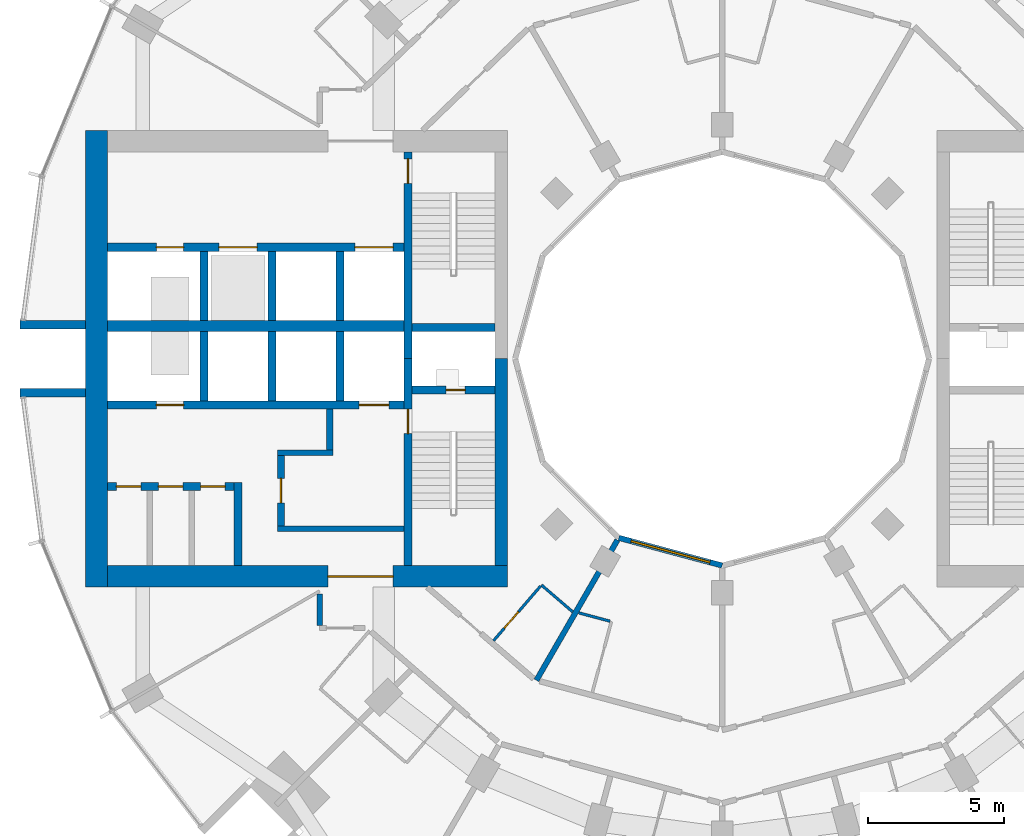
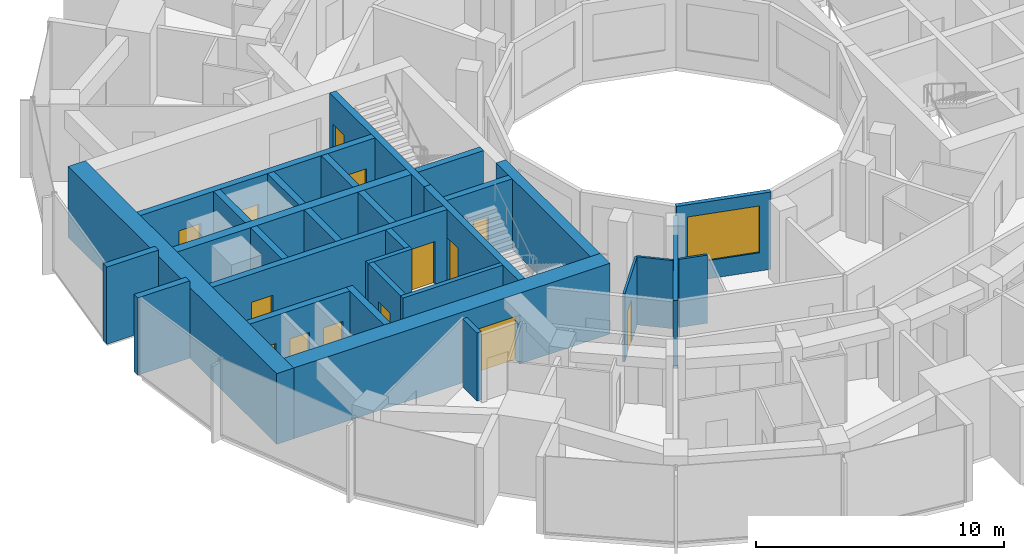
# One storey, part 9 of 15: 30 walls, 14 doors, 1 window, 15 openings.
"""IFC4 building model written with IfcOpenShell, lengths in metres."""

from ifc_helpers import new_model, si_unit, direction, frame, frame_2d, origin, place, context, subcontext, project, spatial, rectangle, extrude, material, layer, layer_set, type_object, element, fill, save


model = new_model("IFC4")

# Units and contexts
model_context = context("Model", 3, precision=1e-05, world=origin(), true_north=direction((0.0, 1.0)))
body_context = subcontext(model_context, "Body", "Model", "MODEL_VIEW")
ifc_project = project(units=[si_unit("LENGTHUNIT", "METRE"), si_unit("AREAUNIT", "SQUARE_METRE"), si_unit("VOLUMEUNIT", "CUBIC_METRE"), si_unit("PLANEANGLEUNIT", "RADIAN"), si_unit("MASSUNIT", "GRAM", prefix="KILO")], contexts=[model_context])

# Site, building, storey
site_placement = place(None, origin())
site = spatial("IfcSite", under=ifc_project, at=site_placement, CompositionType="ELEMENT")
building_placement = place(site_placement, origin())
building = spatial("IfcBuilding", under=site, at=building_placement, Name="Torre Brocal", CompositionType="ELEMENT")
storey_placement = place(building_placement, frame((0.0, 0.0, 55.39990234375)))
storey = spatial("IfcBuildingStorey", under=building, at=storey_placement, Name="L12", CompositionType="ELEMENT", Elevation=55.39990234375)

# Walls
ifc_material_1 = material(Name="Concrete C80", Category="concrete")
ifc_layer_1 = layer(ifc_material_1, 0.199951171875)
ifc_layer_set_1 = layer_set([ifc_layer_1], Name="Concrete C80")
wall_type_1 = type_object("IfcWallType", Name="CORE WALL 200 C80", PredefinedType="SHEAR", material=ifc_layer_set_1)
wall_1_placement = place(storey_placement, frame((68.300048828125, 68.75, 0.0), z_axis=(0.0, 0.0, 1.0), x_axis=(-1.0, 0.0, 0.0)))
element("IfcWall", 1, at=wall_1_placement, inside=storey, type_object=wall_type_1, Name="Wall CW200-80", PredefinedType="SHEAR", context=body_context, shape_type="SweptSolid", body=[
    extrude(rectangle(XDim=4.650146484375, YDim=0.199951171875, at=frame_2d((2.3251953125, 0.0))), origin(), (0.0, 0.0, 1.0), 3.47998046875),
])
wall_2_placement = place(storey_placement, frame((65.699951171875, 71.550048828125, 0.0), z_axis=(0.0, 0.0, 1.0), x_axis=(-1.0, 0.0, 0.0)))
element("IfcWall", 2, at=wall_2_placement, inside=storey, type_object=wall_type_1, Name="Wall CW200-80", PredefinedType="SHEAR", context=body_context, shape_type="SweptSolid", body=[
    extrude(rectangle(XDim=2.050048828125, YDim=0.199951171875, at=frame_2d((1.02490234375, 0.0))), origin(), (0.0, 0.0, 1.0), 3.47998046875),
])

# Wall, opening, door
ifc_material_2 = material(Name="Concrete C80", Category="concrete")
ifc_layer_2 = layer(ifc_material_2, 0.25)
ifc_layer_set_2 = layer_set([ifc_layer_2], Name="Concrete C80")
wall_type_2 = type_object("IfcWallType", Name="CORE WALL 250 C80", PredefinedType="SHEAR", material=ifc_layer_set_2)
wall_3_placement = place(storey_placement, frame((63.77490234375, 71.449951171875, 0.0), z_axis=(0.0, 0.0, 1.0), x_axis=(0.0, -1.0, 0.0)))
wall_3 = element("IfcWall", 3, at=wall_3_placement, inside=storey, type_object=wall_type_2, Name="Wall CW250-80", PredefinedType="SHEAR", context=body_context, shape_type="SweptSolid", body=[
    extrude(rectangle(XDim=2.599853515625, YDim=0.25, at=frame_2d((1.2998046875, 0.0))), origin(), (0.0, 0.0, 1.0), 3.47998046875),
])
opening_1_placement = place(wall_3_placement, frame((0.85009765625, 0.0, 0.0)))
opening_1 = element("IfcOpeningElement", 4, at=opening_1_placement, cuts=wall_3, Name="Opening W-D15", PredefinedType="OPENING", context=body_context, shape_type="SweptSolid", body=[
    extrude(rectangle(XDim=0.89990234375, YDim=2.10009765625, at=frame_2d((0.449951171875, 1.050048828125))), frame((0.0, 0.135009765625, 0.0), z_axis=(0.0, -1.0, 0.0), x_axis=(1.0, 0.0, 0.0)), (0.0, 0.0, 1.0), 0.27001953125),
])
ifc_material_3 = material(Name="Steel A653", Category="steel")
door_type_1 = type_object("IfcDoorType", Name="LOBBY DOOR FD120 900X2100", OperationType="SINGLE_SWING_RIGHT", PredefinedType="DOOR", material=ifc_material_3)
door_1_placement = place(opening_1_placement, origin())
door_1 = element("IfcDoor", 5, at=door_1_placement, inside=storey, type_object=door_type_1, Name="Door W-D15", OperationType="SINGLE_SWING_LEFT", OverallHeight=2.10009765625, OverallWidth=0.89990234375, PredefinedType="DOOR", context=body_context, shape_type="SweptSolid", body=[
    extrude(rectangle(XDim=0.89990234375, YDim=2.10009765625, at=frame_2d((0.449951171875, 1.050048828125))), frame((0.0, 0.02490234375, 0.0), z_axis=(0.0, -1.0, 0.0), x_axis=(1.0, 0.0, 0.0)), (0.0, 0.0, 1.0), 0.050048828125),
])
fill(opening_1, door_1)

# Wall
wall_4_placement = place(storey_placement, frame((65.574951171875, 73.14990234375, 0.0), z_axis=(0.0, 0.0, 1.0), x_axis=(0.0, -1.0, 0.0)))
element("IfcWall", 6, at=wall_4_placement, inside=storey, type_object=wall_type_2, Name="Wall CW250-80", PredefinedType="SHEAR", context=body_context, shape_type="SweptSolid", body=[
    extrude(rectangle(XDim=1.5, YDim=0.25, at=frame_2d((0.75, 0.0))), origin(), (0.0, 0.0, 1.0), 3.47998046875),
])

# Wall, opening, door
ifc_material_4 = material(Name="Concrete C80", Category="concrete")
ifc_layer_3 = layer(ifc_material_4, 0.300048828125)
ifc_layer_set_3 = layer_set([ifc_layer_3], Name="Concrete C80")
wall_type_3 = type_object("IfcWallType", Name="CORE WALL 300 C80", PredefinedType="SHEAR", material=ifc_layer_set_3)
wall_5_placement = place(storey_placement, frame((68.449951171875, 75.0, 0.0), z_axis=(0.0, 0.0, 1.0), x_axis=(0.0, -1.0, 0.0)))
wall_5 = element("IfcWall", 7, at=wall_5_placement, inside=storey, type_object=wall_type_3, Name="Wall CW300-80", PredefinedType="SHEAR", context=body_context, shape_type="SweptSolid", body=[
    extrude(rectangle(XDim=7.60009765625, YDim=0.300048828125, at=frame_2d((3.800048828125, 0.0))), origin(), (0.0, 0.0, 1.0), 3.47998046875),
])
opening_2_placement = place(wall_5_placement, frame((1.85009765625, 0.0, 0.0)))
opening_2 = element("IfcOpeningElement", 8, at=opening_2_placement, cuts=wall_5, Name="Opening W-D02", PredefinedType="OPENING", context=body_context, shape_type="SweptSolid", body=[
    extrude(rectangle(XDim=0.89990234375, YDim=2.10009765625, at=frame_2d((0.449951171875, 1.050048828125))), frame((0.0, 0.159912109375, 0.0), z_axis=(0.0, -1.0, 0.0), x_axis=(1.0, 0.0, 0.0)), (0.0, 0.0, 1.0), 0.320068359375),
])
ifc_material_5 = material(Name="Steel A653", Category="steel")
door_type_2 = type_object("IfcDoorType", Name="STAIR DOOR FD120 900X2100", OperationType="SINGLE_SWING_RIGHT", PredefinedType="DOOR", material=ifc_material_5)
door_2_placement = place(opening_2_placement, origin())
door_2 = element("IfcDoor", 9, at=door_2_placement, inside=storey, type_object=door_type_2, Name="Door W-D02", OperationType="SINGLE_SWING_LEFT", OverallHeight=2.10009765625, OverallWidth=0.89990234375, PredefinedType="DOOR", context=body_context, shape_type="SweptSolid", body=[
    extrude(rectangle(XDim=0.89990234375, YDim=2.10009765625, at=frame_2d((0.449951171875, 1.050048828125))), frame((0.0, 0.02490234375, 0.0), z_axis=(0.0, -1.0, 0.0), x_axis=(1.0, 0.0, 0.0)), (0.0, 0.0, 1.0), 0.050048828125),
])
fill(opening_2, door_2)

wall_6_placement = place(storey_placement, frame((68.449951171875, 82.60009765625, 0.0), z_axis=(0.0, 0.0, 1.0), x_axis=(0.0, -1.0, 0.0)))
wall_6 = element("IfcWall", 10, at=wall_6_placement, inside=storey, type_object=wall_type_3, Name="Wall CW300-80", PredefinedType="SHEAR", context=body_context, shape_type="SweptSolid", body=[
    extrude(rectangle(XDim=7.60009765625, YDim=0.300048828125, at=frame_2d((3.800048828125, 0.0))), origin(), (0.0, 0.0, 1.0), 3.47998046875),
])
opening_3_placement = place(wall_6_placement, frame((0.25, 0.0, 0.0)))
opening_3 = element("IfcOpeningElement", 11, at=opening_3_placement, cuts=wall_6, Name="Opening W-D03", PredefinedType="OPENING", context=body_context, shape_type="SweptSolid", body=[
    extrude(rectangle(XDim=0.89990234375, YDim=2.10009765625, at=frame_2d((0.449951171875, 1.050048828125))), frame((0.0, 0.159912109375, 0.0), z_axis=(0.0, -1.0, 0.0), x_axis=(1.0, 0.0, 0.0)), (0.0, 0.0, 1.0), 0.320068359375),
])
door_3_placement = place(opening_3_placement, origin())
door_3 = element("IfcDoor", 12, at=door_3_placement, inside=storey, type_object=door_type_2, Name="Door W-D03", OperationType="SINGLE_SWING_LEFT", OverallHeight=2.10009765625, OverallWidth=0.89990234375, PredefinedType="DOOR", context=body_context, shape_type="SweptSolid", body=[
    extrude(rectangle(XDim=0.89990234375, YDim=2.10009765625, at=frame_2d((0.449951171875, 1.050048828125))), frame((0.0, 0.02490234375, 0.0), z_axis=(0.0, -1.0, 0.0), x_axis=(1.0, 0.0, 0.0)), (0.0, 0.0, 1.0), 0.050048828125),
])
fill(opening_3, door_3)

wall_7_placement = place(storey_placement, frame((71.64990234375, 73.85009765625, 0.0), z_axis=(0.0, 0.0, 1.0), x_axis=(-1.0, 0.0, 0.0)))
wall_7 = element("IfcWall", 13, at=wall_7_placement, inside=storey, type_object=wall_type_3, Name="Wall CW300-80", PredefinedType="SHEAR", context=body_context, shape_type="SweptSolid", body=[
    extrude(rectangle(XDim=3.0498046875, YDim=0.300048828125, at=frame_2d((1.52490234375, 0.0))), origin(), (0.0, 0.0, 1.0), 3.47998046875),
])
opening_4_placement = place(wall_7_placement, frame((1.10009765625, 0.0, 0.0)))
opening_4 = element("IfcOpeningElement", 14, at=opening_4_placement, cuts=wall_7, Name="Opening W-D01", PredefinedType="OPENING", context=body_context, shape_type="SweptSolid", body=[
    extrude(rectangle(XDim=0.699951171875, YDim=2.0, at=frame_2d((0.35009765625, 1.0))), frame((0.0, 0.159912109375, 0.0), z_axis=(0.0, -1.0, 0.0), x_axis=(1.0, 0.0, 0.0)), (0.0, 0.0, 1.0), 0.320068359375),
])
ifc_material_6 = material(Name="Steel A653", Category="steel")
door_type_3 = type_object("IfcDoorType", Name="RISER DOOR FD120 700X2000", OperationType="SINGLE_SWING_LEFT", PredefinedType="DOOR", material=ifc_material_6)
door_4_placement = place(opening_4_placement, frame((0.699951171875, 0.0, 0.0), z_axis=(0.0, 0.0, 1.0), x_axis=(-1.0, 0.0, 0.0)))
door_4 = element("IfcDoor", 15, at=door_4_placement, inside=storey, type_object=door_type_3, Name="Door W-D01", OperationType="SINGLE_SWING_RIGHT", OverallHeight=2.0, OverallWidth=0.699951171875, PredefinedType="DOOR", context=body_context, shape_type="SweptSolid", body=[
    extrude(rectangle(XDim=0.699951171875, YDim=2.0, at=frame_2d((0.35009765625, 1.0))), frame((0.0, 0.02490234375, 0.0), z_axis=(0.0, -1.0, 0.0), x_axis=(1.0, 0.0, 0.0)), (0.0, 0.0, 1.0), 0.050048828125),
])
fill(opening_4, door_4)

# Wall
wall_8_placement = place(storey_placement, frame((71.64990234375, 76.14990234375, 0.0), z_axis=(0.0, 0.0, 1.0), x_axis=(-1.0, 0.0, 0.0)))
element("IfcWall", 16, at=wall_8_placement, inside=storey, type_object=wall_type_3, Name="Wall CW300-80", PredefinedType="SHEAR", context=body_context, shape_type="SweptSolid", body=[
    extrude(rectangle(XDim=3.0498046875, YDim=0.300048828125, at=frame_2d((1.52490234375, 0.0))), origin(), (0.0, 0.0, 1.0), 3.47998046875),
])

# Wall, openings, doors
wall_9_placement = place(storey_placement, frame((68.300048828125, 73.300048828125, 0.0), z_axis=(0.0, 0.0, 1.0), x_axis=(-1.0, 0.0, 0.0)))
wall_9 = element("IfcWall", 17, at=wall_9_placement, inside=storey, type_object=wall_type_3, Name="Wall CW300-80", PredefinedType="SHEAR", context=body_context, shape_type="SweptSolid", body=[
    extrude(rectangle(XDim=10.900146484375, YDim=0.300048828125, at=frame_2d((5.4501953125, 0.0))), origin(), (0.0, 0.0, 1.0), 3.47998046875),
])
opening_5_placement = place(wall_9_placement, frame((0.550048828125, 0.0, 0.0)))
opening_5 = element("IfcOpeningElement", 18, at=opening_5_placement, cuts=wall_9, Name="Opening LD", PredefinedType="OPENING", context=body_context, shape_type="SweptSolid", body=[
    extrude(rectangle(XDim=1.10009765625, YDim=2.10009765625, at=frame_2d((0.550048828125, 1.050048828125))), frame((0.0, 0.159912109375, 0.0), z_axis=(0.0, -1.0, 0.0), x_axis=(1.0, 0.0, 0.0)), (0.0, 0.0, 1.0), 0.320068359375),
])
opening_6_placement = place(wall_9_placement, frame((8.10009765625, 0.0, 0.0)))
opening_6 = element("IfcOpeningElement", 19, at=opening_6_placement, cuts=wall_9, Name="Opening LD10", PredefinedType="OPENING", context=body_context, shape_type="SweptSolid", body=[
    extrude(rectangle(XDim=1.0, YDim=2.10009765625, at=frame_2d((0.5, 1.050048828125))), frame((0.0, 0.159912109375, 0.0), z_axis=(0.0, -1.0, 0.0), x_axis=(1.0, 0.0, 0.0)), (0.0, 0.0, 1.0), 0.320068359375),
])
ifc_material_7 = material(Name="Stainless steel AISI 316", Category="steel")
door_type_4 = type_object("IfcDoorType", Name="LIFT LANDING DOOR 1000X2100", OperationType="DOUBLE_DOOR_SLIDING", PredefinedType="DOOR", material=ifc_material_7)
door_5_placement = place(opening_6_placement, origin())
door_5 = element("IfcDoor", 20, at=door_5_placement, inside=storey, type_object=door_type_4, Name="Door LD10", OperationType="DOUBLE_DOOR_SLIDING", OverallHeight=2.10009765625, OverallWidth=1.0, PredefinedType="DOOR", context=body_context, shape_type="SweptSolid", body=[
    extrude(rectangle(XDim=1.0, YDim=2.10009765625, at=frame_2d((0.5, 1.050048828125))), frame((0.0, 0.02490234375, 0.0), z_axis=(0.0, -1.0, 0.0), x_axis=(1.0, 0.0, 0.0)), (0.0, 0.0, 1.0), 0.050048828125),
])
fill(opening_6, door_5)
ifc_material_8 = material(Name="Stainless steel AISI 316", Category="steel")
door_type_5 = type_object("IfcDoorType", Name="LIFT LANDING DOOR 1100X2100", OperationType="DOUBLE_DOOR_SLIDING", PredefinedType="DOOR", material=ifc_material_8)
door_6_placement = place(opening_5_placement, origin())
door_6 = element("IfcDoor", 21, at=door_6_placement, inside=storey, type_object=door_type_5, Name="Door LD", OperationType="DOUBLE_DOOR_SLIDING", OverallHeight=2.10009765625, OverallWidth=1.10009765625, PredefinedType="DOOR", context=body_context, shape_type="SweptSolid", body=[
    extrude(rectangle(XDim=1.10009765625, YDim=2.10009765625, at=frame_2d((0.550048828125, 1.050048828125))), frame((0.0, 0.02490234375, 0.0), z_axis=(0.0, -1.0, 0.0), x_axis=(1.0, 0.0, 0.0)), (0.0, 0.0, 1.0), 0.050048828125),
])
fill(opening_5, door_6)

wall_10_placement = place(storey_placement, frame((68.300048828125, 79.10009765625, 0.0), z_axis=(0.0, 0.0, 1.0), x_axis=(-1.0, 0.0, 0.0)))
wall_10 = element("IfcWall", 22, at=wall_10_placement, inside=storey, type_object=wall_type_3, Name="Wall CW300-80", PredefinedType="SHEAR", context=body_context, shape_type="SweptSolid", body=[
    extrude(rectangle(XDim=10.900146484375, YDim=0.300048828125, at=frame_2d((5.4501953125, 0.0))), origin(), (0.0, 0.0, 1.0), 3.47998046875),
])
opening_7_placement = place(wall_10_placement, frame((0.39990234375, 0.0, 0.0)))
opening_7 = element("IfcOpeningElement", 23, at=opening_7_placement, cuts=wall_10, Name="Opening LD14", PredefinedType="OPENING", context=body_context, shape_type="SweptSolid", body=[
    extrude(rectangle(XDim=1.39990234375, YDim=2.10009765625, at=frame_2d((0.699951171875, 1.050048828125))), frame((0.0, 0.159912109375, 0.0), z_axis=(0.0, -1.0, 0.0), x_axis=(1.0, 0.0, 0.0)), (0.0, 0.0, 1.0), 0.320068359375),
])
opening_8_placement = place(wall_10_placement, frame((5.39990234375, 0.0, 0.0)))
opening_8 = element("IfcOpeningElement", 24, at=opening_8_placement, cuts=wall_10, Name="Opening LD14", PredefinedType="OPENING", context=body_context, shape_type="SweptSolid", body=[
    extrude(rectangle(XDim=1.39990234375, YDim=2.10009765625, at=frame_2d((0.699951171875, 1.050048828125))), frame((0.0, 0.159912109375, 0.0), z_axis=(0.0, -1.0, 0.0), x_axis=(1.0, 0.0, 0.0)), (0.0, 0.0, 1.0), 0.320068359375),
])
opening_9_placement = place(wall_10_placement, frame((8.10009765625, 0.0, 0.0)))
opening_9 = element("IfcOpeningElement", 25, at=opening_9_placement, cuts=wall_10, Name="Opening LD10", PredefinedType="OPENING", context=body_context, shape_type="SweptSolid", body=[
    extrude(rectangle(XDim=1.0, YDim=2.10009765625, at=frame_2d((0.5, 1.050048828125))), frame((0.0, 0.159912109375, 0.0), z_axis=(0.0, -1.0, 0.0), x_axis=(1.0, 0.0, 0.0)), (0.0, 0.0, 1.0), 0.320068359375),
])
door_7_placement = place(opening_9_placement, origin())
door_7 = element("IfcDoor", 26, at=door_7_placement, inside=storey, type_object=door_type_4, Name="Door LD10", OperationType="DOUBLE_DOOR_SLIDING", OverallHeight=2.10009765625, OverallWidth=1.0, PredefinedType="DOOR", context=body_context, shape_type="SweptSolid", body=[
    extrude(rectangle(XDim=1.0, YDim=2.10009765625, at=frame_2d((0.5, 1.050048828125))), frame((0.0, 0.02490234375, 0.0), z_axis=(0.0, -1.0, 0.0), x_axis=(1.0, 0.0, 0.0)), (0.0, 0.0, 1.0), 0.050048828125),
])
fill(opening_9, door_7)
ifc_material_9 = material(Name="Stainless steel AISI 316", Category="steel")
door_type_6 = type_object("IfcDoorType", Name="LIFT LANDING DOOR 1400X2100", OperationType="DOUBLE_DOOR_SLIDING", PredefinedType="DOOR", material=ifc_material_9)
door_8_placement = place(opening_7_placement, origin())
door_8 = element("IfcDoor", 27, at=door_8_placement, inside=storey, type_object=door_type_6, Name="Door LD14", OperationType="DOUBLE_DOOR_SLIDING", OverallHeight=2.10009765625, OverallWidth=1.39990234375, PredefinedType="DOOR", context=body_context, shape_type="SweptSolid", body=[
    extrude(rectangle(XDim=1.39990234375, YDim=2.10009765625, at=frame_2d((0.699951171875, 1.050048828125))), frame((0.0, 0.02490234375, 0.0), z_axis=(0.0, -1.0, 0.0), x_axis=(1.0, 0.0, 0.0)), (0.0, 0.0, 1.0), 0.050048828125),
])
fill(opening_7, door_8)
door_9_placement = place(opening_8_placement, origin())
door_9 = element("IfcDoor", 28, at=door_9_placement, inside=storey, type_object=door_type_6, Name="Door LD14", OperationType="DOUBLE_DOOR_SLIDING", OverallHeight=2.10009765625, OverallWidth=1.39990234375, PredefinedType="DOOR", context=body_context, shape_type="SweptSolid", body=[
    extrude(rectangle(XDim=1.39990234375, YDim=2.10009765625, at=frame_2d((0.699951171875, 1.050048828125))), frame((0.0, 0.02490234375, 0.0), z_axis=(0.0, -1.0, 0.0), x_axis=(1.0, 0.0, 0.0)), (0.0, 0.0, 1.0), 0.050048828125),
])
fill(opening_8, door_9)

# Walls
for number, where, z_axis, x_axis, name in (
    (29, (65.949951171875, 76.0, 0.0), (0.0, 0.0, 1.0), (0.0, -1.0, 0.0), "Wall CW300-80"),
    (30, (63.449951171875, 76.0, 0.0), (0.0, 0.0, 1.0), (0.0, -1.0, 0.0), "Wall CW300-80"),
    (31, (60.949951171875, 76.0, 0.0), (0.0, 0.0, 1.0), (0.0, -1.0, 0.0), "Wall CW300-80"),
    (32, (65.949951171875, 78.949951171875, 0.0), (0.0, 0.0, 1.0), (0.0, -1.0, 0.0), "Wall CW300-80"),
    (33, (63.449951171875, 78.949951171875, 0.0), (0.0, 0.0, 1.0), (0.0, -1.0, 0.0), "Wall CW300-80"),
    (34, (60.949951171875, 78.949951171875, 0.0), (0.0, 0.0, 1.0), (0.0, -1.0, 0.0), "Wall CW300-80"),
):
    element("IfcWall", number, at=place(storey_placement, frame(where, z_axis=z_axis, x_axis=x_axis)), inside=storey, type_object=wall_type_3, Name=name, PredefinedType="SHEAR", context=body_context, shape_type="SweptSolid", body=[
        extrude(rectangle(XDim=2.550048828125, YDim=0.300048828125, at=frame_2d((1.27490234375, 0.0))), origin(), (0.0, 0.0, 1.0), 3.47998046875),
    ])
wall_11_placement = place(storey_placement, frame((62.199951171875, 70.449951171875, 0.0), z_axis=(0.0, 0.0, 1.0), x_axis=(0.0, -1.0, 0.0)))
element("IfcWall", 35, at=wall_11_placement, inside=storey, type_object=wall_type_3, Name="Wall CW300-80", PredefinedType="SHEAR", context=body_context, shape_type="SweptSolid", body=[
    extrude(rectangle(XDim=3.050048828125, YDim=0.300048828125, at=frame_2d((1.52490234375, 0.0))), origin(), (0.0, 0.0, 1.0), 3.47998046875),
])

# Wall, openings, doors
wall_12_placement = place(storey_placement, frame((62.050048828125, 70.300048828125, 0.0), z_axis=(0.0, 0.0, 1.0), x_axis=(-1.0, 0.0, 0.0)))
wall_12 = element("IfcWall", 36, at=wall_12_placement, inside=storey, type_object=wall_type_3, Name="Wall CW300-80", PredefinedType="SHEAR", context=body_context, shape_type="SweptSolid", body=[
    extrude(rectangle(XDim=4.650146484375, YDim=0.300048828125, at=frame_2d((2.3251953125, 0.0))), origin(), (0.0, 0.0, 1.0), 3.47998046875),
])
opening_10_placement = place(wall_12_placement, frame((0.324951171875, 0.0, 0.0)))
opening_10 = element("IfcOpeningElement", 37, at=opening_10_placement, cuts=wall_12, Name="Opening W-D05", PredefinedType="OPENING", context=body_context, shape_type="SweptSolid", body=[
    extrude(rectangle(XDim=0.89990234375, YDim=2.10009765625, at=frame_2d((0.449951171875, 1.050048828125))), frame((0.0, 0.159912109375, 0.0), z_axis=(0.0, -1.0, 0.0), x_axis=(1.0, 0.0, 0.0)), (0.0, 0.0, 1.0), 0.320068359375),
])
opening_11_placement = place(wall_12_placement, frame((1.875, 0.0, 0.0)))
opening_11 = element("IfcOpeningElement", 38, at=opening_11_placement, cuts=wall_12, Name="Opening W-D06", PredefinedType="OPENING", context=body_context, shape_type="SweptSolid", body=[
    extrude(rectangle(XDim=0.89990234375, YDim=2.10009765625, at=frame_2d((0.449951171875, 1.050048828125))), frame((0.0, 0.159912109375, 0.0), z_axis=(0.0, -1.0, 0.0), x_axis=(1.0, 0.0, 0.0)), (0.0, 0.0, 1.0), 0.320068359375),
])
opening_12_placement = place(wall_12_placement, frame((3.425048828125, 0.0, 0.0)))
opening_12 = element("IfcOpeningElement", 39, at=opening_12_placement, cuts=wall_12, Name="Opening W-D07", PredefinedType="OPENING", context=body_context, shape_type="SweptSolid", body=[
    extrude(rectangle(XDim=0.89990234375, YDim=2.10009765625, at=frame_2d((0.449951171875, 1.050048828125))), frame((0.0, 0.159912109375, 0.0), z_axis=(0.0, -1.0, 0.0), x_axis=(1.0, 0.0, 0.0)), (0.0, 0.0, 1.0), 0.320068359375),
])
ifc_material_10 = material(Name="Steel A653", Category="steel")
door_type_7 = type_object("IfcDoorType", Name="ROOM DOOR FD30S 900X2100", OperationType="SINGLE_SWING_LEFT", PredefinedType="DOOR", material=ifc_material_10)
door_10_placement = place(opening_10_placement, origin())
door_10 = element("IfcDoor", 40, at=door_10_placement, inside=storey, type_object=door_type_7, Name="Door W-D05", OperationType="SINGLE_SWING_RIGHT", OverallHeight=2.10009765625, OverallWidth=0.89990234375, PredefinedType="DOOR", context=body_context, shape_type="SweptSolid", body=[
    extrude(rectangle(XDim=0.89990234375, YDim=2.10009765625, at=frame_2d((0.449951171875, 1.050048828125))), frame((0.0, 0.02490234375, 0.0), z_axis=(0.0, -1.0, 0.0), x_axis=(1.0, 0.0, 0.0)), (0.0, 0.0, 1.0), 0.050048828125),
])
fill(opening_10, door_10)
door_11_placement = place(opening_11_placement, origin())
door_11 = element("IfcDoor", 41, at=door_11_placement, inside=storey, type_object=door_type_7, Name="Door W-D06", OperationType="SINGLE_SWING_RIGHT", OverallHeight=2.10009765625, OverallWidth=0.89990234375, PredefinedType="DOOR", context=body_context, shape_type="SweptSolid", body=[
    extrude(rectangle(XDim=0.89990234375, YDim=2.10009765625, at=frame_2d((0.449951171875, 1.050048828125))), frame((0.0, 0.02490234375, 0.0), z_axis=(0.0, -1.0, 0.0), x_axis=(1.0, 0.0, 0.0)), (0.0, 0.0, 1.0), 0.050048828125),
])
fill(opening_11, door_11)
door_12_placement = place(opening_12_placement, origin())
door_12 = element("IfcDoor", 42, at=door_12_placement, inside=storey, type_object=door_type_7, Name="Door W-D07", OperationType="SINGLE_SWING_LEFT", OverallHeight=2.10009765625, OverallWidth=0.89990234375, PredefinedType="DOOR", context=body_context, shape_type="SweptSolid", body=[
    extrude(rectangle(XDim=0.89990234375, YDim=2.10009765625, at=frame_2d((0.449951171875, 1.050048828125))), frame((0.0, 0.02490234375, 0.0), z_axis=(0.0, -1.0, 0.0), x_axis=(1.0, 0.0, 0.0)), (0.0, 0.0, 1.0), 0.050048828125),
])
fill(opening_12, door_12)

# Walls
ifc_material_11 = material(Name="Concrete C80", Category="concrete")
ifc_layer_4 = layer(ifc_material_11, 0.39990234375)
ifc_layer_set_4 = layer_set([ifc_layer_4], Name="Concrete C80")
wall_type_4 = type_object("IfcWallType", Name="CORE WALL 400 C80", PredefinedType="SHEAR", material=ifc_layer_set_4)
wall_13_placement = place(storey_placement, frame((68.300048828125, 76.199951171875, 0.0), z_axis=(0.0, 0.0, 1.0), x_axis=(-1.0, 0.0, 0.0)))
element("IfcWall", 43, at=wall_13_placement, inside=storey, type_object=wall_type_4, Name="Wall CW400-80", PredefinedType="SHEAR", context=body_context, shape_type="SweptSolid", body=[
    extrude(rectangle(XDim=10.900146484375, YDim=0.39990234375, at=frame_2d((5.4501953125, 0.0))), origin(), (0.0, 0.0, 1.0), 3.47998046875),
])
ifc_material_12 = material(Name="Concrete C80", Category="concrete")
ifc_layer_5 = layer(ifc_material_12, 0.449951171875)
ifc_layer_set_5 = layer_set([ifc_layer_5], Name="Concrete C80")
wall_type_5 = type_object("IfcWallType", Name="CORE WALL 450 C80", PredefinedType="SHEAR", material=ifc_layer_set_5)
wall_14_placement = place(storey_placement, frame((71.875, 75.0, 0.0), z_axis=(0.0, 0.0, 1.0), x_axis=(0.0, -1.0, 0.0)))
element("IfcWall", 44, at=wall_14_placement, inside=storey, type_object=wall_type_5, Name="Wall CW450-80", PredefinedType="SHEAR", context=body_context, shape_type="SweptSolid", body=[
    extrude(rectangle(XDim=7.60009765625, YDim=0.449951171875, at=frame_2d((3.800048828125, 0.0))), origin(), (0.0, 0.0, 1.0), 3.47998046875),
])

# Wall, opening, door
ifc_material_13 = material(Name="Concrete C80", Category="concrete")
ifc_layer_6 = layer(ifc_material_13, 0.800048828125)
ifc_layer_set_6 = layer_set([ifc_layer_6], Name="Concrete C80")
wall_type_6 = type_object("IfcWallType", Name="CORE WALL 800 C80", PredefinedType="SHEAR", material=ifc_layer_set_6)
wall_15_placement = place(storey_placement, frame((72.10009765625, 67.0, 0.0), z_axis=(0.0, 0.0, 1.0), x_axis=(-1.0, 0.0, 0.0)))
wall_15 = element("IfcWall", 45, at=wall_15_placement, inside=storey, type_object=wall_type_6, Name="Wall CW800-80", PredefinedType="SHEAR", context=body_context, shape_type="SweptSolid", body=[
    extrude(rectangle(XDim=14.7001953125, YDim=0.800048828125, at=frame_2d((7.35009765625, 0.0))), origin(), (0.0, 0.0, 1.0), 3.47998046875),
])
opening_13_placement = place(wall_15_placement, frame((4.199951171875, 0.0, 0.0)))
opening_13 = element("IfcOpeningElement", 46, at=opening_13_placement, cuts=wall_15, Name="Opening W-D27", PredefinedType="OPENING", context=body_context, shape_type="SweptSolid", body=[
    extrude(rectangle(XDim=2.39990234375, YDim=2.39990234375, at=frame_2d((1.199951171875, 1.199951171875))), frame((0.0, 0.409912109375, 0.0), z_axis=(0.0, -1.0, 0.0), x_axis=(1.0, 0.0, 0.0)), (0.0, 0.0, 1.0), 0.820068359375),
])
ifc_material_14 = material(Name="Steel A653", Category="steel")
door_type_8 = type_object("IfcDoorType", Name="DOUBLE FIRE DOOR FD90 2400X2400", OperationType="DOUBLE_DOOR_SINGLE_SWING", PredefinedType="DOOR", material=ifc_material_14)
door_13_placement = place(opening_13_placement, frame((2.39990234375, 0.0, 0.0), z_axis=(0.0, 0.0, 1.0), x_axis=(-1.0, 0.0, 0.0)))
door_13 = element("IfcDoor", 47, at=door_13_placement, inside=storey, type_object=door_type_8, Name="Door W-D27", OperationType="DOUBLE_DOOR_SINGLE_SWING", OverallHeight=2.39990234375, OverallWidth=2.39990234375, PredefinedType="DOOR", context=body_context, shape_type="SweptSolid", body=[
    extrude(rectangle(XDim=2.39990234375, YDim=2.39990234375, at=frame_2d((1.199951171875, 1.199951171875))), frame((0.0, 0.02490234375, 0.0), z_axis=(0.0, -1.0, 0.0), x_axis=(1.0, 0.0, 0.0)), (0.0, 0.0, 1.0), 0.050048828125),
])
fill(opening_13, door_13)

# Walls
wall_16_placement = place(storey_placement, frame((57.0, 83.39990234375, 0.0), z_axis=(0.0, 0.0, 1.0), x_axis=(0.0, -1.0, 0.0)))
element("IfcWall", 48, at=wall_16_placement, inside=storey, type_object=wall_type_6, Name="Wall CW800-80", PredefinedType="SHEAR", context=body_context, shape_type="SweptSolid", body=[
    extrude(rectangle(XDim=16.7998046875, YDim=0.800048828125, at=frame_2d((8.39990234375, 0.0))), origin(), (0.0, 0.0, 1.0), 3.47998046875),
])
ifc_material_15 = material(Name="Concrete C80", Category="concrete")
ifc_layer_7 = layer(ifc_material_15, 0.300048828125)
ifc_layer_set_7 = layer_set([ifc_layer_7], Name="Concrete C80")
wall_type_7 = type_object("IfcWallType", Name="NOTCH RETURN WALL 300 C80", PredefinedType="NOTDEFINED", material=ifc_layer_set_7)
for number, where, z_axis, x_axis, name in (
    (49, (56.60009765625, 76.25, 0.0), (0.0, 0.0, 1.0), (-1.0, 0.0, 0.0), "NOTCH RETURN WALL"),
    (50, (56.60009765625, 73.75, 0.0), (0.0, 0.0, 1.0), (-1.0, 0.0, 0.0), "NOTCH RETURN WALL"),
):
    element("IfcWall", number, at=place(storey_placement, frame(where, z_axis=z_axis, x_axis=x_axis)), inside=storey, type_object=wall_type_7, Name=name, PredefinedType="NOTDEFINED", context=body_context, shape_type="SweptSolid", body=[
        extrude(rectangle(XDim=2.415771484375, YDim=0.300048828125, at=frame_2d((1.2080078125, 0.0))), origin(), (0.0, 0.0, 1.0), 3.800048828125),
    ])

# Wall, opening, door
ifc_material_16 = material(Name="Gypsum board", Category="Gypsum")
ifc_layer_8 = layer(ifc_material_16, 0.10009765625)
ifc_layer_set_8 = layer_set([ifc_layer_8], Name="Gypsum board")
wall_type_8 = type_object("IfcWallType", Name="PARTITION 100", PredefinedType="PARTITIONING", material=ifc_layer_set_8)
wall_17_placement = place(storey_placement, frame((71.59619140625, 64.634765625, 0.0), z_axis=(0.0, 0.0, 1.0), x_axis=(0.652285007511, 0.757973791748, 0.0)))
wall_17 = element("IfcWall", 51, at=wall_17_placement, inside=storey, type_object=wall_type_8, Name="BATHROOM WALL", PredefinedType="PARTITIONING", context=body_context, shape_type="SweptSolid", body=[
    extrude(rectangle(XDim=2.649658203125, YDim=0.10009765625, at=frame_2d((1.32470703125, 0.0))), origin(), (0.0, 0.0, 1.0), 3.35009765625),
])
opening_14_placement = place(wall_17_placement, frame((0.599609375, 0.0, 0.0)))
opening_14 = element("IfcOpeningElement", 52, at=opening_14_placement, cuts=wall_17, Name="Opening H03-D46", PredefinedType="OPENING", context=body_context, shape_type="SweptSolid", body=[
    extrude(rectangle(XDim=0.800048828125, YDim=2.10009765625, at=frame_2d((0.39990234375, 1.050048828125))), frame((0.0, 0.06005859375, 0.0), z_axis=(0.0, -1.0, 0.0), x_axis=(1.0, 0.0, 0.0)), (0.0, 0.0, 1.0), 0.1201171875),
])
ifc_material_17 = material(Name="Timber", Category="wood")
door_type_9 = type_object("IfcDoorType", Name="BATHROOM DOOR 800X2100", OperationType="SINGLE_SWING_LEFT", PredefinedType="DOOR", material=ifc_material_17)
door_14_placement = place(opening_14_placement, frame((0.800048828125, 0.0, 0.0), z_axis=(0.0, 0.0, 1.0), x_axis=(-1.0, 0.0, 0.0)))
door_14 = element("IfcDoor", 53, at=door_14_placement, inside=storey, type_object=door_type_9, Name="H03-D46", OperationType="SINGLE_SWING_RIGHT", OverallHeight=2.10009765625, OverallWidth=0.800048828125, PredefinedType="DOOR", context=body_context, shape_type="SweptSolid", body=[
    extrude(rectangle(XDim=0.800048828125, YDim=2.10009765625, at=frame_2d((0.39990234375, 1.050048828125))), frame((0.0, 0.02490234375, 0.0), z_axis=(0.0, -1.0, 0.0), x_axis=(1.0, 0.0, 0.0)), (0.0, 0.0, 1.0), 0.050048828125),
])
fill(opening_14, door_14)

# Walls
wall_18_placement = place(storey_placement, frame((73.35693359375, 66.680908203125, 0.0), z_axis=(0.0, 0.0, 1.0), x_axis=(0.758263469747, -0.651948242154, 0.0)))
element("IfcWall", 54, at=wall_18_placement, inside=storey, type_object=wall_type_8, Name="BATHROOM WALL", PredefinedType="PARTITIONING", context=body_context, shape_type="SweptSolid", body=[
    extrude(rectangle(XDim=1.510986328125, YDim=0.10009765625, at=frame_2d((0.75537109375, 0.0))), origin(), (0.0, 0.0, 1.0), 3.35009765625),
])
wall_19_placement = place(storey_placement, frame((74.729248046875, 65.657470703125, 0.0), z_axis=(0.0, 0.0, 1.0), x_axis=(0.965948051503, -0.258736085224, 0.0)))
element("IfcWall", 55, at=wall_19_placement, inside=storey, type_object=wall_type_8, Name="BATHROOM WALL", PredefinedType="PARTITIONING", context=body_context, shape_type="SweptSolid", body=[
    extrude(rectangle(XDim=1.18896484375, YDim=0.10009765625, at=frame_2d((0.594482421875, 0.0))), origin(), (0.0, 0.0, 1.0), 3.35009765625),
])
ifc_material_18 = material(Name="Gypsum board", Category="Gypsum")
ifc_layer_9 = layer(ifc_material_18, 0.199951171875)
ifc_layer_set_9 = layer_set([ifc_layer_9], Name="Gypsum board")
wall_type_9 = type_object("IfcWallType", Name="PARTITION 200 EI60", PredefinedType="PARTITIONING", material=ifc_layer_set_9)
wall_20_placement = place(storey_placement, frame((65.199951171875, 65.199951171875, 0.0), z_axis=(0.0, 0.0, 1.0), x_axis=(0.0, 1.0, 0.0)))
element("IfcWall", 56, at=wall_20_placement, inside=storey, type_object=wall_type_9, Name="GUESTROOM CORRIDOR WALL", PredefinedType="PARTITIONING", context=body_context, shape_type="SweptSolid", body=[
    extrude(rectangle(XDim=1.150146484375, YDim=0.199951171875, at=frame_2d((0.5751953125, 0.0))), origin(), (0.0, 0.0, 1.0), 3.35009765625),
])
wall_21_placement = place(storey_placement, frame((73.17041015625, 63.177490234375, 0.0), z_axis=(0.0, 0.0, 1.0), x_axis=(0.500239348149, 0.865887171959, 0.0)))
element("IfcWall", 57, at=wall_21_placement, inside=storey, type_object=wall_type_9, Name="BATHROOM WALL", PredefinedType="PARTITIONING", context=body_context, shape_type="SweptSolid", body=[
    extrude(rectangle(XDim=5.955078125, YDim=0.199951171875, at=frame_2d((2.9775390625, 0.0))), origin(), (0.0, 0.0, 1.0), 3.35009765625),
])

# Wall, opening, window
ifc_material_19 = material(Name="Concrete C40", Category="concrete")
ifc_layer_10 = layer(ifc_material_19, 0.199951171875)
ifc_layer_set_10 = layer_set([ifc_layer_10], Name="Concrete C40")
wall_type_10 = type_object("IfcWallType", Name="WELL FACADE WALL 200", PredefinedType="NOTDEFINED", material=ifc_layer_set_10)
wall_22_placement = place(storey_placement, frame((76.1982421875, 68.4150390625, 0.0), z_axis=(0.0, 0.0, 1.0), x_axis=(0.965933654434, -0.258789828301, 0.0)))
wall_22 = element("IfcWall", 58, at=wall_22_placement, inside=storey, type_object=wall_type_10, Name="WELL FACADE WALL", PredefinedType="NOTDEFINED", context=body_context, shape_type="SweptSolid", body=[
    extrude(rectangle(XDim=3.935791015625, YDim=0.199951171875, at=frame_2d((1.9677734375, 0.0))), origin(), (0.0, 0.0, 1.0), 3.800048828125),
])
opening_15_placement = place(wall_22_placement, frame((0.468017578125, 0.0, 0.89990234375)))
opening_15 = element("IfcOpeningElement", 59, at=opening_15_placement, cuts=wall_22, Name="Opening W1", PredefinedType="OPENING", context=body_context, shape_type="SweptSolid", body=[
    extrude(rectangle(XDim=3.0, YDim=2.300048828125, at=frame_2d((1.5, 1.14990234375))), frame((0.0, 0.10986328125, 0.0), z_axis=(0.0, -1.0, 0.0), x_axis=(1.0, 0.0, 0.0)), (0.0, 0.0, 1.0), 0.219970703125),
])
ifc_material_20 = material(Name="Aluminium and glass", Category="aluminium")
window_type = type_object("IfcWindowType", Name="WELL WINDOW 3000X2300", PartitioningType="SINGLE_PANEL", PredefinedType="WINDOW", material=ifc_material_20)
window_placement = place(opening_15_placement, origin())
window = element("IfcWindow", 60, at=window_placement, inside=storey, type_object=window_type, Name="WELL WINDOW 3000X2300", OverallHeight=2.300048828125, OverallWidth=3.0, PartitioningType="SINGLE_PANEL", PredefinedType="WINDOW", context=body_context, shape_type="SweptSolid", body=[
    extrude(rectangle(XDim=3.0, YDim=2.300048828125, at=frame_2d((1.5, 1.14990234375))), frame((0.0, 0.030029296875, 0.0), z_axis=(0.0, -1.0, 0.0), x_axis=(1.0, 0.0, 0.0)), (0.0, 0.0, 1.0), 0.06005859375),
])
fill(opening_15, window)

save(model, "model.ifc")
